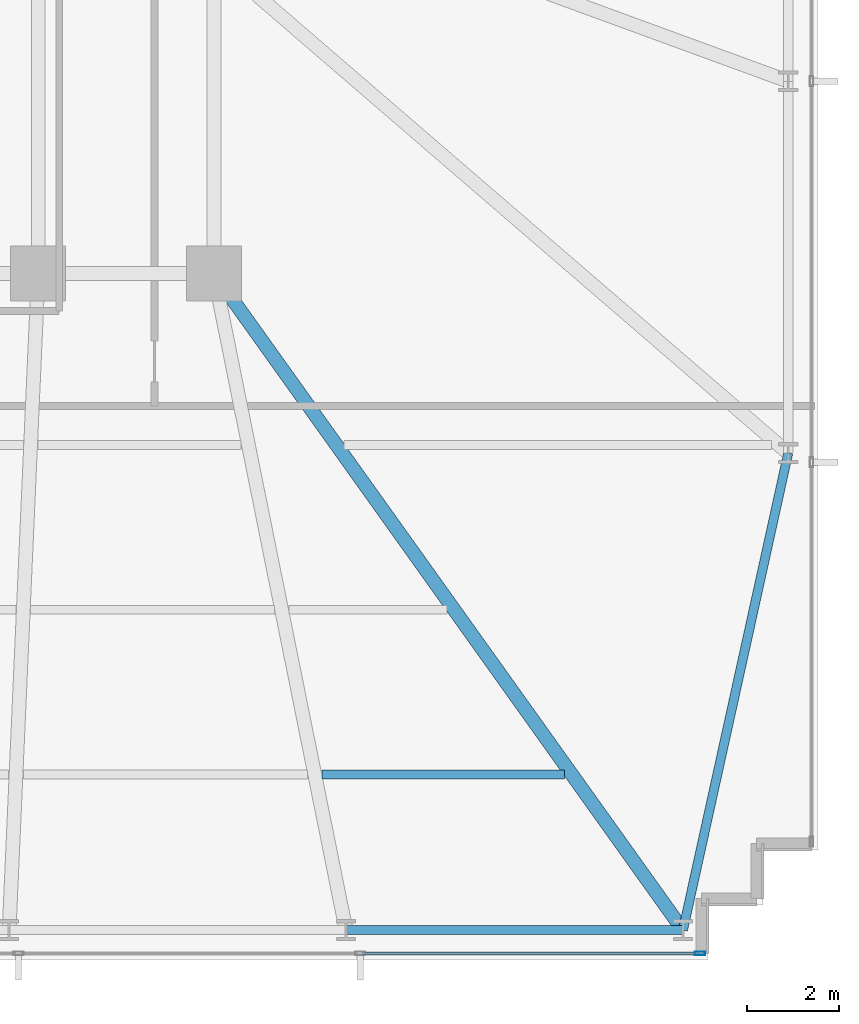
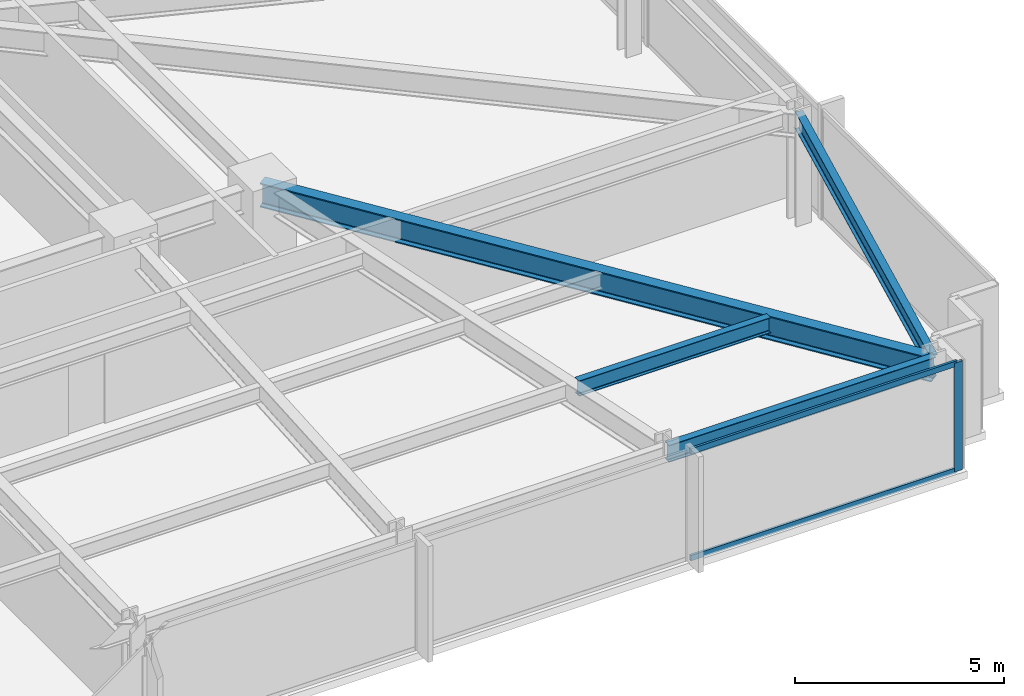
# One storey, part 15 of 33: 4 beams, 3 members, 1 element without a shape of its own.
"""IFC4 building model written with IfcOpenShell, lengths in metres."""

from ifc_helpers import new_model, si_unit, direction, frame, origin, origin_2d, place, context, subcontext, project, spatial, hollow_rectangle, i_section, extrude, material, material_profile, profile_set, type_object, element, aggregate, save


model = new_model("IFC4")

# Units and contexts
model_context = context("Model", 3, precision=1e-05, world=origin(), true_north=direction((0.0, 1.0)))
body_context = subcontext(model_context, "Body", "Model", "MODEL_VIEW")
ifc_project = project(units=[si_unit("LENGTHUNIT", "METRE"), si_unit("AREAUNIT", "SQUARE_METRE"), si_unit("VOLUMEUNIT", "CUBIC_METRE"), si_unit("PLANEANGLEUNIT", "RADIAN"), si_unit("MASSUNIT", "GRAM", prefix="KILO")], contexts=[model_context])

# Site, building, storey
site_placement = place(None, origin())
site = spatial("IfcSite", under=ifc_project, at=site_placement, CompositionType="ELEMENT")
building_placement = place(site_placement, origin())
building = spatial("IfcBuilding", under=site, at=building_placement, Name="Yelkora Congress Tower", CompositionType="ELEMENT")
storey_placement = place(building_placement, frame((0.0, 0.0, 47.39990234375)))
storey = spatial("IfcBuildingStorey", under=building, at=storey_placement, Name="L11", CompositionType="ELEMENT", Elevation=47.39990234375)

# Beams
ifc_material_1 = material(Name="Steel S355J2", Category="steel")
ifc_material_profile_1 = material_profile(ifc_material_1, i_section(OverallWidth=0.300048828125, OverallDepth=0.699951171875, WebThickness=0.01708984375, FlangeThickness=0.031982421875, FilletRadius=0.027099609375, at=origin_2d()), Name="HEB 700")
ifc_profile_set_1 = profile_set([ifc_material_profile_1], Name="Steel S355J2")
beam_type_1 = type_object("IfcBeamType", Name="BM-GIRD-HEB700", PredefinedType="BEAM", material=ifc_profile_set_1)
beam_1_placement = place(storey_placement, frame((67.85009765625, 10.85009765625, 2.830078125), z_axis=(-0.581242122521, 0.813730664906, 0.0), x_axis=(-0.813730664906, -0.581242122521, 0.0)))
element("IfcBeam", 1, at=beam_1_placement, inside=storey, type_object=beam_type_1, Name="L11 Primary Frame Girder S09", PredefinedType="BEAM", context=body_context, shape_type="SweptSolid", body=[
    extrude(i_section(OverallWidth=0.300048828125, OverallDepth=0.699951171875, WebThickness=0.01708984375, FlangeThickness=0.031982421875, FilletRadius=0.027099609375, at=origin_2d()), origin(), (0.0, 0.0, 1.0), 17.634765625),
])
ifc_material_profile_2 = material_profile(ifc_material_1, i_section(OverallWidth=0.18994140625, OverallDepth=0.449951171875, WebThickness=0.009521484375, FlangeThickness=0.0146484375, FilletRadius=0.02099609375, at=origin_2d()), Name="IPE 450")
ifc_profile_set_2 = profile_set([ifc_material_profile_2], Name="Steel S355J2")
beam_type_2 = type_object("IfcBeamType", Name="BM-JOIST-IPE450", PredefinedType="JOIST", material=ifc_profile_set_2)
beam_2_placement = place(storey_placement, frame((59.96337890625, 14.25, 2.955078125), z_axis=(1.0, 0.0, 0.0), x_axis=(0.0, 1.0, 0.0)))
element("IfcBeam", 2, at=beam_2_placement, inside=storey, type_object=beam_type_2, Name="L11 Composite Floor Joist 8", PredefinedType="JOIST", context=body_context, shape_type="SweptSolid", body=[
    extrude(i_section(OverallWidth=0.18994140625, OverallDepth=0.449951171875, WebThickness=0.009521484375, FlangeThickness=0.0146484375, FilletRadius=0.02099609375, at=origin_2d()), origin(), (0.0, 0.0, 1.0), 5.298095703125),
])
ifc_material_profile_3 = material_profile(ifc_material_1, i_section(OverallWidth=0.199951171875, OverallDepth=0.5, WebThickness=0.01025390625, FlangeThickness=0.01611328125, FilletRadius=0.02099609375, at=origin_2d()), Name="IPE 500")
ifc_profile_set_3 = profile_set([ifc_material_profile_3], Name="Steel S355J2")
beam_type_3 = type_object("IfcBeamType", Name="BM-SPAN-IPE500", PredefinedType="SPANDREL", material=ifc_profile_set_3)
beam_3_placement = place(storey_placement, frame((60.487548828125, 10.85009765625, 2.93017578125), z_axis=(1.0, 0.0, 0.0), x_axis=(0.0, 1.0, 0.0)))
element("IfcBeam", 3, at=beam_3_placement, inside=storey, type_object=beam_type_3, Name="L11 Perimeter Beam 9", PredefinedType="SPANDREL", context=body_context, shape_type="SweptSolid", body=[
    extrude(i_section(OverallWidth=0.199951171875, OverallDepth=0.5, WebThickness=0.01025390625, FlangeThickness=0.01611328125, FilletRadius=0.02099609375, at=origin_2d()), origin(), (0.0, 0.0, 1.0), 7.362548828125),
])
beam_4_placement = place(storey_placement, frame((67.85009765625, 10.85009765625, 2.93017578125), z_axis=(0.215428898349, 0.97651952861, 0.0), x_axis=(-0.97651952861, 0.215428898349, 0.0)))
element("IfcBeam", 4, at=beam_4_placement, inside=storey, type_object=beam_type_3, Name="L11 Perimeter Beam 10", PredefinedType="SPANDREL", context=body_context, shape_type="SweptSolid", body=[
    extrude(i_section(OverallWidth=0.199951171875, OverallDepth=0.5, WebThickness=0.01025390625, FlangeThickness=0.01611328125, FilletRadius=0.02099609375, at=origin_2d()), origin(), (0.0, 0.0, 1.0), 10.675537109375),
])

# Curtain wall, members
ifc_material_2 = material(Name="Anodised aluminium and insulated glass", Category="aluminium")
curtain_wall_type = type_object("IfcCurtainWallType", Name="CW-SYS-B1", PredefinedType="NOTDEFINED", material=ifc_material_2)
curtain_wall_placement = place(storey_placement, origin())
curtain_wall = element("IfcCurtainWall", 5, at=curtain_wall_placement, inside=storey, type_object=curtain_wall_type, Name="L11 Unitised Curtain Wall 20", PredefinedType="NOTDEFINED")
ifc_material_3 = material(Name="Anodised aluminium 6063-T6", Category="aluminium")
ifc_material_profile_4 = material_profile(ifc_material_3, hollow_rectangle(XDim=0.074951171875, YDim=0.219970703125, WallThickness=0.0048828125, at=origin_2d()), Name="ALU 75x220x5")
ifc_profile_set_4 = profile_set([ifc_material_profile_4], Name="Anodised aluminium 6063-T6")
member_type_1 = type_object("IfcMemberType", Name="MEM-ML-B1", PredefinedType="MULLION", material=ifc_profile_set_4)
member_1_placement = place(storey_placement, frame((68.222412109375, 10.340087890625, 0.0), z_axis=(0.0, 0.0, 1.0), x_axis=(0.0, -1.0, 0.0)))
member_1 = element("IfcMember", 6, at=member_1_placement, type_object=member_type_1, Name="CW-B1 mullion 1", PredefinedType="MULLION", context=body_context, shape_type="SweptSolid", body=[
    extrude(hollow_rectangle(XDim=0.074951171875, YDim=0.219970703125, WallThickness=0.0048828125, at=origin_2d()), origin(), (0.0, 0.0, 1.0), 3.18017578125),
])
ifc_material_profile_5 = material_profile(ifc_material_3, hollow_rectangle(XDim=0.06494140625, YDim=0.159912109375, WallThickness=0.00390625, at=origin_2d()), Name="ALU 65x160x4")
ifc_profile_set_5 = profile_set([ifc_material_profile_5], Name="Anodised aluminium 6063-T6")
member_type_2 = type_object("IfcMemberType", Name="MEM-TR-B1", PredefinedType="USERDEFINED", material=ifc_profile_set_5)
member_2_placement = place(storey_placement, frame((68.18505859375, 10.340087890625, 0.03271484375), z_axis=(-1.0, 0.0, 0.0), x_axis=(0.0, -1.0, 0.0)))
member_2 = element("IfcMember", 7, at=member_2_placement, type_object=member_type_2, Name="CW-B1 transom 1.1", ObjectType="TRANSOM", PredefinedType="USERDEFINED", context=body_context, shape_type="SweptSolid", body=[
    extrude(hollow_rectangle(XDim=0.06494140625, YDim=0.159912109375, WallThickness=0.00390625, at=origin_2d()), origin(), (0.0, 0.0, 1.0), 7.3525390625),
])
member_3_placement = place(storey_placement, frame((68.18505859375, 10.340087890625, 3.147705078125), z_axis=(-1.0, 0.0, 0.0), x_axis=(0.0, -1.0, 0.0)))
member_3 = element("IfcMember", 8, at=member_3_placement, type_object=member_type_2, Name="CW-B1 transom 1.2", ObjectType="TRANSOM", PredefinedType="USERDEFINED", context=body_context, shape_type="SweptSolid", body=[
    extrude(hollow_rectangle(XDim=0.06494140625, YDim=0.159912109375, WallThickness=0.00390625, at=origin_2d()), origin(), (0.0, 0.0, 1.0), 7.3525390625),
])
aggregate(curtain_wall, [member_1, member_2, member_3])

save(model, "model.ifc")
